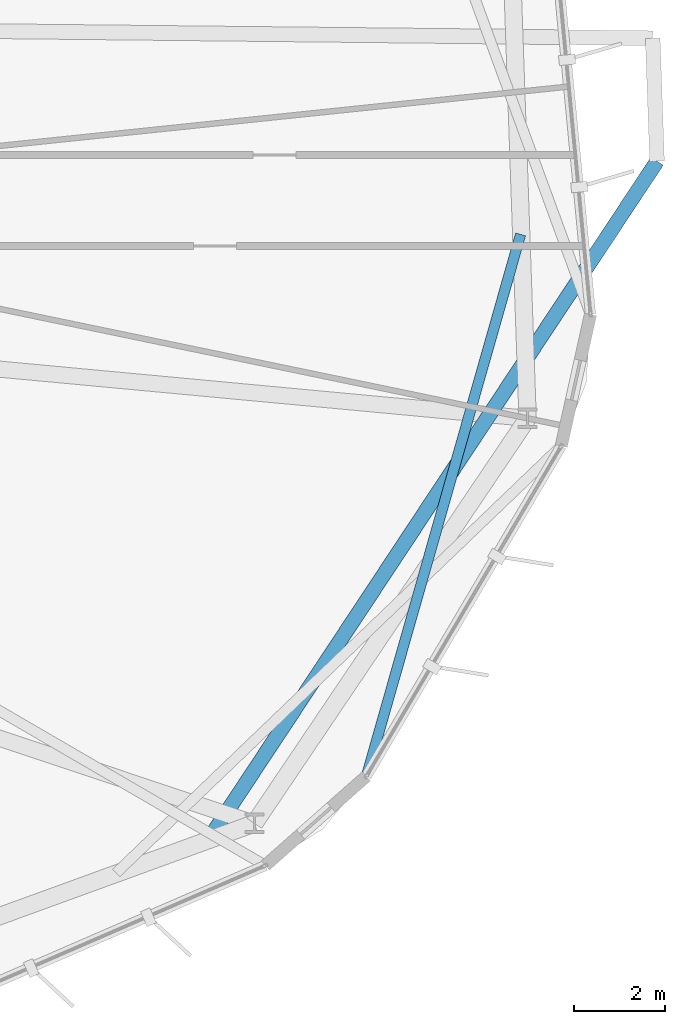
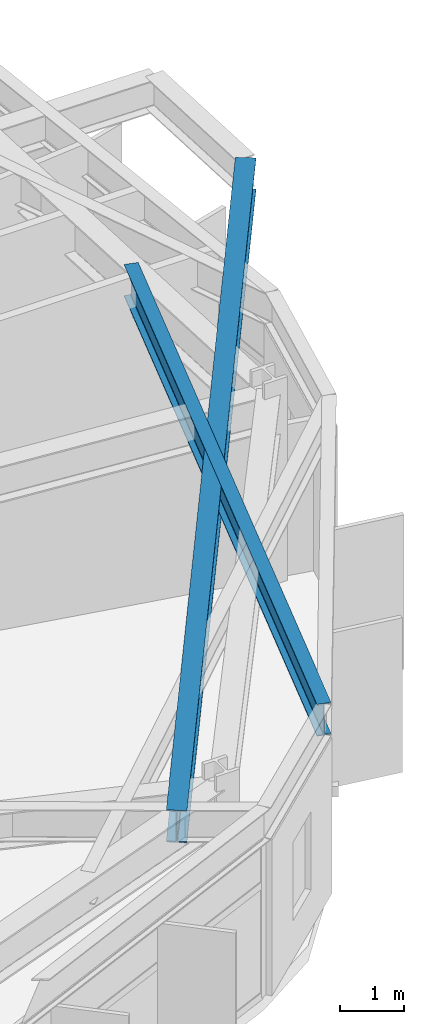
# One storey, part 11 of 23: 2 beams.
"""IFC4 building model written with IfcOpenShell, lengths in metres."""

from ifc_helpers import new_model, si_unit, direction, frame, origin, origin_2d, place, context, subcontext, project, spatial, i_section, extrude, material, material_profile, profile_set, type_object, element, save


model = new_model("IFC4")

# Units and contexts
model_context = context("Model", 3, precision=1e-05, world=origin(), true_north=direction((0.0, 1.0)))
body_context = subcontext(model_context, "Body", "Model", "MODEL_VIEW")
ifc_project = project(units=[si_unit("LENGTHUNIT", "METRE"), si_unit("AREAUNIT", "SQUARE_METRE"), si_unit("VOLUMEUNIT", "CUBIC_METRE"), si_unit("PLANEANGLEUNIT", "RADIAN"), si_unit("MASSUNIT", "GRAM", prefix="KILO")], contexts=[model_context])

# Site, building, storey
site_placement = place(None, origin())
site = spatial("IfcSite", under=ifc_project, at=site_placement, CompositionType="ELEMENT")
building_placement = place(site_placement, origin())
building = spatial("IfcBuilding", under=site, at=building_placement, Name="Soratama Intermodal Tower", CompositionType="ELEMENT")
storey_placement = place(building_placement, frame((0.0, 0.0, 118.60009765625)))
storey = spatial("IfcBuildingStorey", under=building, at=storey_placement, Name="L28", CompositionType="ELEMENT", Elevation=118.60009765625)

# Beams
ifc_material_1 = material(Name="Structural steel ASTM A992 Grade 50", Category="steel")
ifc_material_profile_1 = material_profile(ifc_material_1, i_section(OverallWidth=0.324951171875, OverallDepth=0.615966796875, WebThickness=0.013916015625, FlangeThickness=0.021484375, FilletRadius=0.013916015625, at=origin_2d()), Name="W24X117")
ifc_profile_set_1 = profile_set([ifc_material_profile_1], Name="Structural steel ASTM A992 Grade 50")
beam_type_1 = type_object("IfcBeamType", Name="BM-CANT-W24X117", PredefinedType="BEAM", material=ifc_profile_set_1)
beam_1_placement = place(storey_placement, frame((54.714111328125, 10.949951171875, 3.2919921875), z_axis=(0.55152610575, 0.834157631792, 0.0), x_axis=(-0.834157631792, 0.55152610575, 0.0)))
element("IfcBeam", 1, at=beam_1_placement, inside=storey, type_object=beam_type_1, Name="BM-L28-CANT-1-1", PredefinedType="BEAM", context=body_context, shape_type="SweptSolid", body=[
    extrude(i_section(OverallWidth=0.324951171875, OverallDepth=0.615966796875, WebThickness=0.013916015625, FlangeThickness=0.021484375, FilletRadius=0.013916015625, at=origin_2d()), origin(), (0.0, 0.0, 1.0), 17.879150390625),
])
ifc_material_2 = material(Name="Structural steel ASTM A992 Grade 50", Category="steel")
ifc_material_profile_2 = material_profile(ifc_material_2, i_section(OverallWidth=0.22900390625, OverallDepth=0.612060546875, WebThickness=0.011962890625, FlangeThickness=0.01953125, FilletRadius=0.012939453125, at=origin_2d()), Name="W24X84")
ifc_profile_set_2 = profile_set([ifc_material_profile_2], Name="Structural steel ASTM A992 Grade 50")
beam_type_2 = type_object("IfcBeamType", Name="BM-TIE-W24X84", PredefinedType="BEAM", material=ifc_profile_set_2)
beam_2_placement = place(storey_placement, frame((61.572021484375, 24.25390625, 3.2939453125), z_axis=(-0.273733042438, -0.961805708799, 0.0), x_axis=(0.961805708799, -0.273733042438, 0.0)))
element("IfcBeam", 2, at=beam_2_placement, inside=storey, type_object=beam_type_2, Name="BM-L28-TIE0-09", PredefinedType="BEAM", context=body_context, shape_type="SweptSolid", body=[
    extrude(i_section(OverallWidth=0.22900390625, OverallDepth=0.612060546875, WebThickness=0.011962890625, FlangeThickness=0.01953125, FilletRadius=0.012939453125, at=origin_2d()), origin(), (0.0, 0.0, 1.0), 12.402587890625),
])

save(model, "model.ifc")
